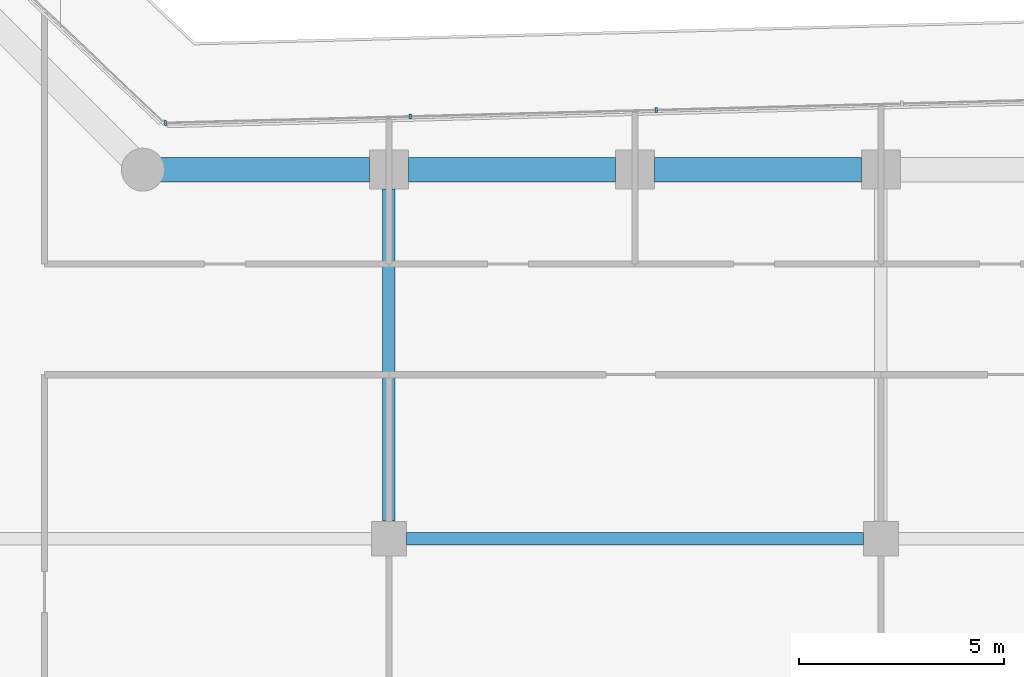
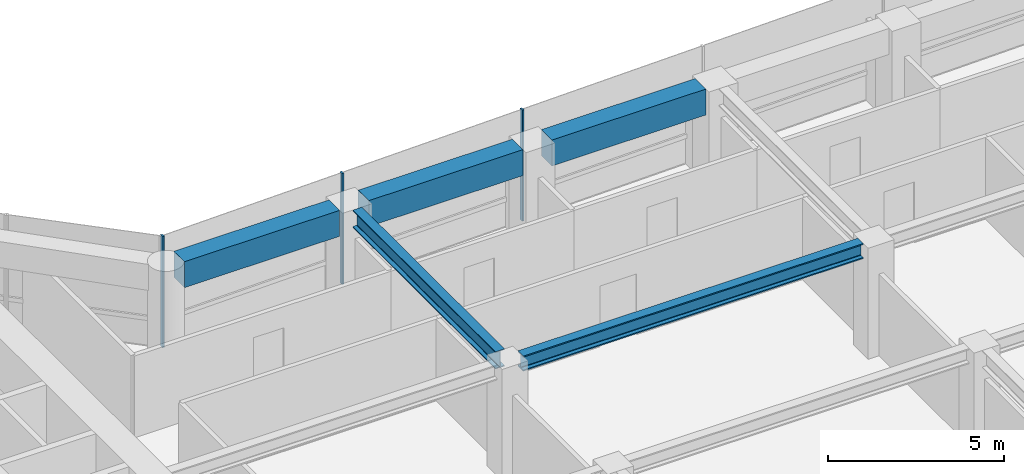
# One storey, part 10 of 29: 5 beams, 3 members, 1 element without a shape of its own.
"""IFC4 building model written with IfcOpenShell, lengths in metres."""

from ifc_helpers import new_model, si_unit, direction, frame, origin, origin_2d, place, context, subcontext, project, spatial, rectangle, i_section, extrude, material, layer, layer_set, material_profile, profile_set, type_object, element, aggregate, save


model = new_model("IFC4")

# Units and contexts
model_context = context("Model", 3, precision=1e-05, world=origin(), true_north=direction((0.0, 1.0)))
body_context = subcontext(model_context, "Body", "Model", "MODEL_VIEW")
ifc_project = project(units=[si_unit("LENGTHUNIT", "METRE"), si_unit("AREAUNIT", "SQUARE_METRE"), si_unit("VOLUMEUNIT", "CUBIC_METRE"), si_unit("PLANEANGLEUNIT", "RADIAN"), si_unit("MASSUNIT", "GRAM", prefix="KILO")], contexts=[model_context])

# Site, building, storey
site_placement = place(None, origin())
site = spatial("IfcSite", under=ifc_project, at=site_placement, CompositionType="ELEMENT")
building_placement = place(site_placement, origin())
building = spatial("IfcBuilding", under=site, at=building_placement, Name="Welwitschia Terrace Campus", CompositionType="ELEMENT")
storey_placement = place(building_placement, frame((0.0, 0.0, 58.39990234375)))
storey = spatial("IfcBuildingStorey", under=building, at=storey_placement, Name="L13", CompositionType="ELEMENT", Elevation=58.39990234375)

# Beam
ifc_material_1 = material(Name="Steel S355", Category="steel")
ifc_material_profile_1 = material_profile(ifc_material_1, i_section(OverallWidth=0.305908203125, OverallDepth=0.52392578125, WebThickness=0.02099609375, FlangeThickness=0.0400390625, FilletRadius=0.027099609375, at=origin_2d()))
ifc_profile_set_1 = profile_set([ifc_material_profile_1], Name="Steel S355")
beam_type_1 = type_object("IfcBeamType", Name="Interior girder HE 500 M", PredefinedType="BEAM", material=ifc_profile_set_1)
beam_1_placement = place(storey_placement, frame((36.425537109375, 11.0, 3.588134765625), z_axis=(1.0, 0.0, 0.0), x_axis=(0.0, 1.0, 0.0)))
element("IfcBeam", 1, at=beam_1_placement, inside=storey, type_object=beam_type_1, Name="Girder GB2", PredefinedType="BEAM", context=body_context, shape_type="SweptSolid", body=[
    extrude(i_section(OverallWidth=0.305908203125, OverallDepth=0.52392578125, WebThickness=0.02099609375, FlangeThickness=0.0400390625, FilletRadius=0.027099609375, at=origin_2d()), origin(), (0.0, 0.0, 1.0), 11.14892578125),
])

# Curtain wall, members
ifc_material_2 = material(Name="Bronze anodised aluminium", Category="aluminium")
ifc_layer = layer(ifc_material_2, 0.1201171875)
ifc_layer_set = layer_set([ifc_layer], Name="Bronze anodised aluminium")
curtain_wall_type = type_object("IfcCurtainWallType", Name="Curtain wall CW2 tower 6000", PredefinedType="NOTDEFINED", material=ifc_layer_set)
curtain_wall_placement = place(storey_placement, origin())
curtain_wall = element("IfcCurtainWall", 2, at=curtain_wall_placement, inside=storey, type_object=curtain_wall_type, Name="CW L13.7.0", PredefinedType="NOTDEFINED")
ifc_material_3 = material(Name="Bronze anodised aluminium", Category="aluminium")
ifc_material_profile_2 = material_profile(ifc_material_3, rectangle(XDim=0.1201171875, YDim=0.06005859375, at=origin_2d()))
ifc_profile_set_2 = profile_set([ifc_material_profile_2], Name="Bronze anodised aluminium")
member_type = type_object("IfcMemberType", Name="Mullion 60x120", PredefinedType="MULLION", material=ifc_profile_set_2)
member_1_placement = place(storey_placement, frame((42.517578125, 21.456298828125, 0.0), z_axis=(0.0, 0.0, 1.0), x_axis=(0.026176948308, -0.999657324976, 0.0)))
member_1 = element("IfcMember", 3, at=member_1_placement, type_object=member_type, Name="Mullion L13.7.0.3", PredefinedType="MULLION", context=body_context, shape_type="SweptSolid", body=[
    extrude(rectangle(XDim=0.1201171875, YDim=0.06005859375, at=origin_2d()), origin(), (0.0, 0.0, 1.0), 3.85009765625),
])
member_2_placement = place(storey_placement, frame((36.51953125, 21.299072265625, 0.0), z_axis=(0.0, 0.0, 1.0), x_axis=(0.026176948308, -0.999657324976, 0.0)))
member_2 = element("IfcMember", 4, at=member_2_placement, type_object=member_type, Name="Mullion L13.7.0.4", PredefinedType="MULLION", context=body_context, shape_type="SweptSolid", body=[
    extrude(rectangle(XDim=0.1201171875, YDim=0.06005859375, at=origin_2d()), origin(), (0.0, 0.0, 1.0), 3.85009765625),
])
member_3_placement = place(storey_placement, frame((30.551513671875, 21.142822265625, 0.0), z_axis=(0.0, 0.0, 1.0), x_axis=(0.026176948308, -0.999657324976, 0.0)))
member_3 = element("IfcMember", 5, at=member_3_placement, type_object=member_type, Name="Mullion L13.7.0.5", PredefinedType="MULLION", context=body_context, shape_type="SweptSolid", body=[
    extrude(rectangle(XDim=0.1201171875, YDim=0.06005859375, at=origin_2d()), origin(), (0.0, 0.0, 1.0), 3.85009765625),
])
aggregate(curtain_wall, [member_1, member_2, member_3])

# Beams
ifc_material_4 = material(Name="Steel S355", Category="steel")
ifc_material_profile_3 = material_profile(ifc_material_4, i_section(OverallWidth=0.300048828125, OverallDepth=0.60009765625, WebThickness=0.015380859375, FlangeThickness=0.030029296875, FilletRadius=0.027099609375, at=origin_2d()))
ifc_profile_set_3 = profile_set([ifc_material_profile_3], Name="Steel S355")
beam_type_2 = type_object("IfcBeamType", Name="Primary beam HE 600 B", PredefinedType="BEAM", material=ifc_profile_set_3)
beam_2_placement = place(storey_placement, frame((36.0, 19.5244140625, 3.550048828125), z_axis=(0.0, -1.0, 0.0), x_axis=(1.0, 0.0, 0.0)))
element("IfcBeam", 6, at=beam_2_placement, inside=storey, type_object=beam_type_2, Name="Primary beam PB2", PredefinedType="BEAM", context=body_context, shape_type="SweptSolid", body=[
    extrude(i_section(OverallWidth=0.300048828125, OverallDepth=0.60009765625, WebThickness=0.015380859375, FlangeThickness=0.030029296875, FilletRadius=0.027099609375, at=origin_2d()), origin(), (0.0, 0.0, 1.0), 8.098876953125),
])
ifc_material_5 = material(Name="Concrete C60/75", Category="concrete")
ifc_material_profile_4 = material_profile(ifc_material_5, rectangle(XDim=0.60009765625, YDim=0.89990234375, at=origin_2d()))
ifc_profile_set_4 = profile_set([ifc_material_profile_4], Name="Concrete C60/75")
beam_type_3 = type_object("IfcBeamType", Name="Ring spandrel 600x900", PredefinedType="SPANDREL", material=ifc_profile_set_4)
for number, where, z_axis, x_axis, name in (
    (7, (47.5244140625, 20.0, 3.400146484375), (-1.0, 0.0, 0.0), (0.0, -1.0, 0.0), "Spandrel SP2"),
    (8, (41.5244140625, 20.0, 3.400146484375), (-1.0, 0.0, 0.0), (0.0, -1.0, 0.0), "Spandrel SP2"),
):
    element("IfcBeam", number, at=place(storey_placement, frame(where, z_axis=z_axis, x_axis=x_axis)), inside=storey, type_object=beam_type_3, Name=name, PredefinedType="SPANDREL", context=body_context, shape_type="SweptSolid", body=[
        extrude(rectangle(XDim=0.60009765625, YDim=0.89990234375, at=origin_2d()), origin(), (0.0, 0.0, 1.0), 5.048828125),
    ])
beam_3_placement = place(storey_placement, frame((35.5244140625, 20.0, 3.400146484375), z_axis=(-1.0, 0.0, 0.0), x_axis=(0.0, -1.0, 0.0)))
element("IfcBeam", 9, at=beam_3_placement, inside=storey, type_object=beam_type_3, Name="Spandrel SP2", PredefinedType="SPANDREL", context=body_context, shape_type="SweptSolid", body=[
    extrude(rectangle(XDim=0.60009765625, YDim=0.89990234375, at=origin_2d()), origin(), (0.0, 0.0, 1.0), 5.093017578125),
])

save(model, "model.ifc")
